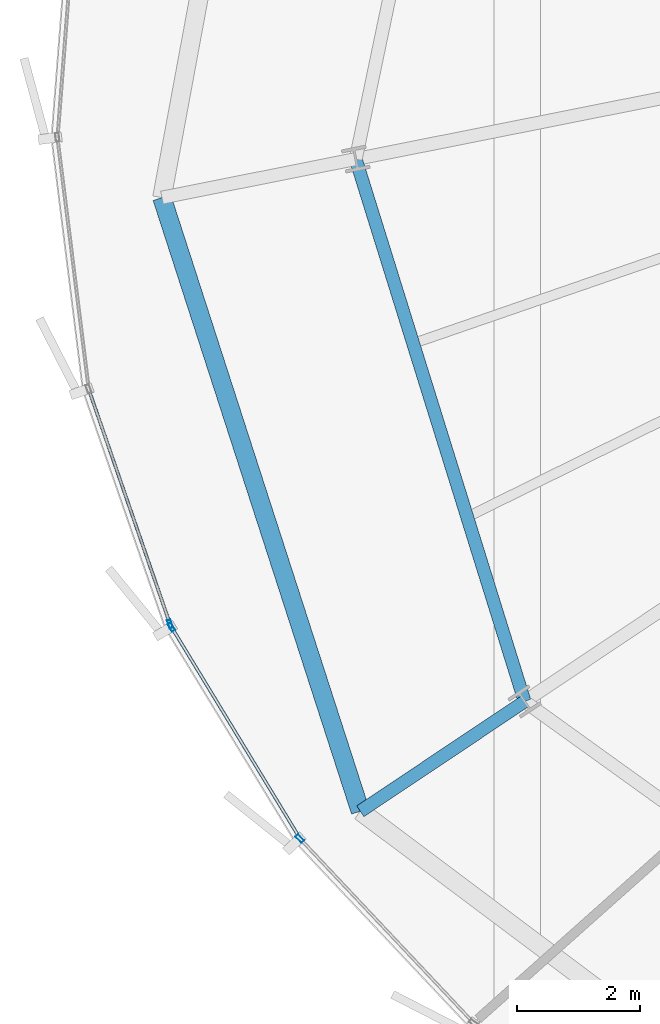
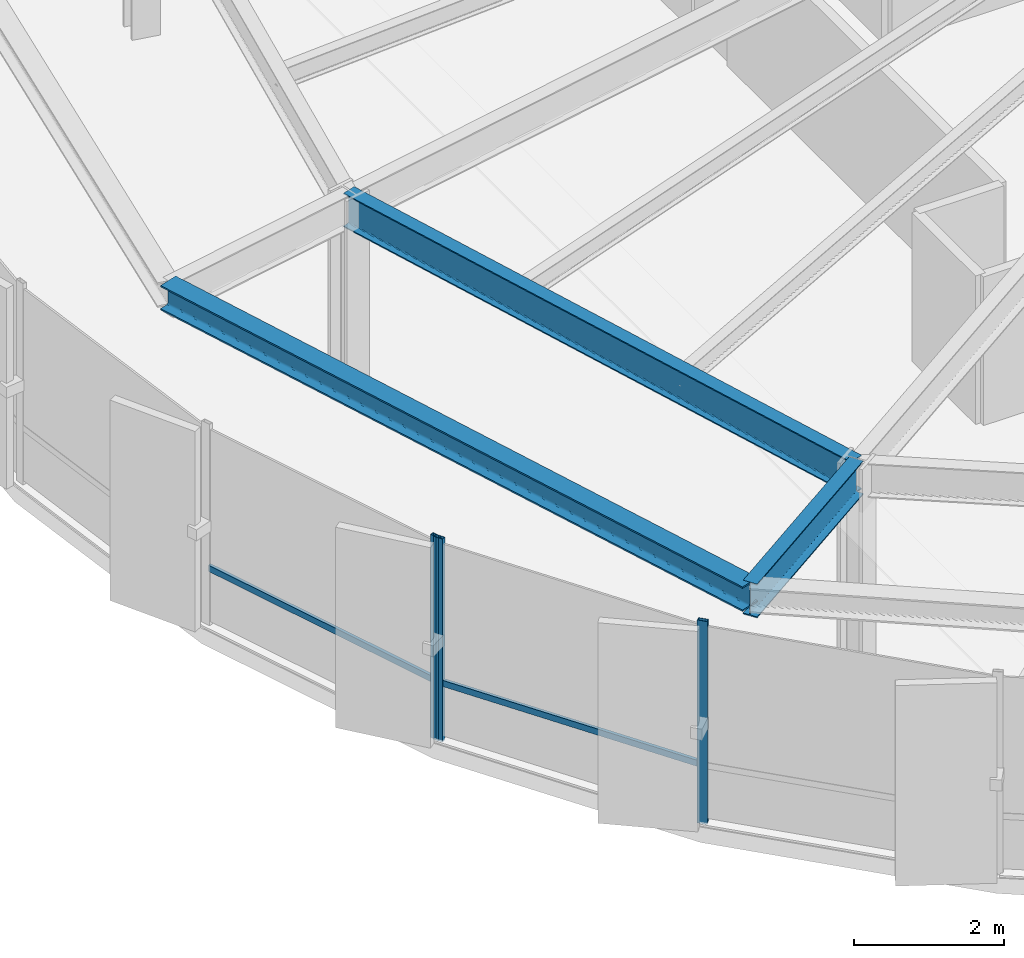
# One storey, part 3 of 35: 5 members, 3 beams, 2 elements without a shape of their own.
"""IFC4 building model written with IfcOpenShell, lengths in metres."""

from ifc_helpers import new_model, si_unit, direction, frame, origin, origin_2d, place, context, subcontext, project, spatial, hollow_rectangle, i_section, extrude, source, transform, mapped, material, layer, layer_set, material_profile, profile_set, type_object, element, aggregate, save


model = new_model("IFC4")

# Units and contexts
model_context = context("Model", 3, precision=1e-05, world=origin(), true_north=direction((0.0, 1.0)))
body_context = subcontext(model_context, "Body", "Model", "MODEL_VIEW")
ifc_project = project(units=[si_unit("LENGTHUNIT", "METRE"), si_unit("AREAUNIT", "SQUARE_METRE"), si_unit("VOLUMEUNIT", "CUBIC_METRE"), si_unit("PLANEANGLEUNIT", "RADIAN"), si_unit("MASSUNIT", "GRAM", prefix="KILO"), si_unit("THERMODYNAMICTEMPERATUREUNIT", "KELVIN")], contexts=[model_context])

# Site, building, storey
site_placement = place(None, origin())
site = spatial("IfcSite", under=ifc_project, at=site_placement, CompositionType="ELEMENT")
building_placement = place(site_placement, origin())
building = spatial("IfcBuilding", under=site, at=building_placement, Name="Kethvar Cultural Tower", CompositionType="ELEMENT")
storey_placement = place(building_placement, frame((0.0, 0.0, 135.89990234375)))
storey = spatial("IfcBuildingStorey", under=building, at=storey_placement, Name="L34", CompositionType="ELEMENT", Elevation=135.89990234375)

# Beams
ifc_material_1 = material(Name="Steel S355J2", Category="steel")
ifc_material_profile_1 = material_profile(ifc_material_1, i_section(OverallWidth=0.2099609375, OverallDepth=0.550048828125, WebThickness=0.010986328125, FlangeThickness=0.01708984375, FilletRadius=0.02392578125, at=origin_2d()), Name="Steel S355J2 — IPE550")
ifc_profile_set_1 = profile_set([ifc_material_profile_1], Name="Steel S355J2 — IPE550")
beam_type_1 = type_object("IfcBeamType", Name="BM-IPE550", PredefinedType="BEAM", material=ifc_profile_set_1)
shared_shape_1 = source(origin(), body_context, "Body", "SweptSolid", [
    extrude(i_section(OverallWidth=0.2099609375, OverallDepth=0.550048828125, WebThickness=0.010986328125, FlangeThickness=0.01708984375, FilletRadius=0.02392578125, at=origin_2d()), origin(), (0.0, 0.0, 1.0), 3.199951171875),
])
beam_1_placement = place(storey_placement, frame((26.920654296875, 14.51708984375, 3.023193359375), z_axis=(-0.831462943996, -0.555580212716, 0.0), x_axis=(0.555580212716, -0.831462943996, 0.0)))
element("IfcBeam", 1, at=beam_1_placement, inside=storey, type_object=beam_type_1, Name="L34 Perimeter Cantilever Beam RC-10", PredefinedType="BEAM", context=body_context, shape_type="MappedRepresentation", body=[
    mapped(shared_shape_1, transform((0.0, 0.0, 0.0), scale=1.0)),
])
shared_shape_2 = source(origin(), body_context, "Body", "SweptSolid", [
    extrude(i_section(OverallWidth=0.2099609375, OverallDepth=0.550048828125, WebThickness=0.010986328125, FlangeThickness=0.01708984375, FilletRadius=0.02392578125, at=origin_2d()), origin(), (0.0, 0.0, 1.0), 9.20068359375),
])
beam_2_placement = place(storey_placement, frame((24.185302734375, 23.3017578125, 3.023193359375), z_axis=(0.297298800285, -0.954784490526, 0.0), x_axis=(0.954784490526, 0.297298800285, 0.0)))
element("IfcBeam", 2, at=beam_2_placement, inside=storey, type_object=beam_type_1, Name="L34 Column Ring Tie Beam CR-09", PredefinedType="BEAM", context=body_context, shape_type="MappedRepresentation", body=[
    mapped(shared_shape_2, transform((0.0, 0.0, 0.0), scale=1.0)),
])
ifc_material_profile_2 = material_profile(ifc_material_1, i_section(OverallWidth=0.300048828125, OverallDepth=0.39990234375, WebThickness=0.013427734375, FlangeThickness=0.02392578125, FilletRadius=0.027099609375, at=origin_2d()), Name="Steel S355J2 — HEB400")
ifc_profile_set_2 = profile_set([ifc_material_profile_2], Name="Steel S355J2 — HEB400")
beam_type_2 = type_object("IfcBeamType", Name="BM-SP400", PredefinedType="SPANDREL", material=ifc_profile_set_2)
shared_shape_3 = source(origin(), body_context, "Body", "SweptSolid", [
    extrude(i_section(OverallWidth=0.300048828125, OverallDepth=0.39990234375, WebThickness=0.013427734375, FlangeThickness=0.02392578125, FilletRadius=0.027099609375, at=origin_2d()), origin(), (0.0, 0.0, 1.0), 10.44482421875),
])
beam_3_placement = place(storey_placement, frame((21.046875, 22.677490234375, 3.09814453125), z_axis=(0.307631709258, -0.951505507845, 0.0), x_axis=(0.951505507845, 0.307631709258, 0.0)))
element("IfcBeam", 3, at=beam_3_placement, inside=storey, type_object=beam_type_2, Name="L34 Perimeter Spandrel Beam SP-09", PredefinedType="SPANDREL", context=body_context, shape_type="MappedRepresentation", body=[
    mapped(shared_shape_3, transform((0.0, 0.0, 0.0), scale=1.0)),
])

# Curtain wall, member
ifc_material_2 = material(Name="Aluminium 6063-T6", Category="aluminium")
ifc_layer = layer(ifc_material_2, 0.179931640625, Name="Aluminium 6063-T6", Category="aluminium")
ifc_layer_set = layer_set([ifc_layer], Name="Aluminium 6063-T6 (180 mm)")
curtain_wall_type = type_object("IfcCurtainWallType", Name="CW-SYS-04-Z34", PredefinedType="NOTDEFINED", material=ifc_layer_set)
curtain_wall_1_placement = place(storey_placement, origin())
curtain_wall_1 = element("IfcCurtainWall", 4, at=curtain_wall_1_placement, inside=storey, type_object=curtain_wall_type, Name="L34 Curtain Wall Run 03", PredefinedType="NOTDEFINED")
ifc_material_profile_3 = material_profile(ifc_material_2, hollow_rectangle(XDim=0.06005859375, YDim=0.139892578125, WallThickness=0.0048828125, at=origin_2d()), Name="Aluminium 6063-T6 — RHS140x60x5")
ifc_profile_set_3 = profile_set([ifc_material_profile_3], Name="Aluminium 6063-T6 — RHS140x60x5")
member_type_1 = type_object("IfcMemberType", Name="CW-SYS-04-Z34-MUL", PredefinedType="MULLION", material=ifc_profile_set_3)
shared_shape_4 = source(origin(), body_context, "Body", "SweptSolid", [
    extrude(hollow_rectangle(XDim=0.06005859375, YDim=0.139892578125, WallThickness=0.0048828125, at=origin_2d()), origin(), (0.0, 0.0, 1.0), 3.300048828125),
])
member_1_placement = place(storey_placement, frame((21.177490234375, 15.77294921875, 0.0), z_axis=(0.0, 0.0, 1.0), x_axis=(0.944903214709, 0.327349835547, 0.0)))
member_1 = element("IfcMember", 5, at=member_1_placement, type_object=member_type_1, Name="CW-L34-R03 Mullion 7", PredefinedType="MULLION", context=body_context, shape_type="MappedRepresentation", body=[
    mapped(shared_shape_4, transform((0.0, 0.0, 0.0), scale=1.0)),
])

# Curtain wall, members
curtain_wall_2_placement = place(storey_placement, origin())
curtain_wall_2 = element("IfcCurtainWall", 6, at=curtain_wall_2_placement, inside=storey, type_object=curtain_wall_type, Name="L34 Curtain Wall Run 04", PredefinedType="NOTDEFINED")
member_2_placement = place(storey_placement, frame((21.200439453125, 15.723876953125, 0.0), z_axis=(0.0, 0.0, 1.0), x_axis=(0.854531360356, 0.519399801856, 0.0)))
member_2 = element("IfcMember", 7, at=member_2_placement, type_object=member_type_1, Name="CW-L34-R04 Mullion 1", PredefinedType="MULLION", context=body_context, shape_type="MappedRepresentation", body=[
    mapped(shared_shape_4, transform((0.0, 0.0, 0.0), scale=1.0)),
])
member_3_placement = place(storey_placement, frame((23.279296875, 12.298828125, 0.0), z_axis=(0.0, 0.0, 1.0), x_axis=(0.727772757657, 0.685818352927, 0.0)))
member_3 = element("IfcMember", 8, at=member_3_placement, type_object=member_type_1, Name="CW-L34-R04 Mullion 2", PredefinedType="MULLION", context=body_context, shape_type="MappedRepresentation", body=[
    mapped(shared_shape_4, transform((0.0, 0.0, 0.0), scale=1.0)),
])

# Member
ifc_material_profile_4 = material_profile(ifc_material_2, hollow_rectangle(XDim=0.050048828125, YDim=0.10009765625, WallThickness=0.00390625, at=origin_2d()), Name="Aluminium 6063-T6 — RHS100x50x4")
ifc_profile_set_4 = profile_set([ifc_material_profile_4], Name="Aluminium 6063-T6 — RHS100x50x4")
member_type_2 = type_object("IfcMemberType", Name="CW-SYS-04-Z34-TRN", PredefinedType="USERDEFINED", material=ifc_profile_set_4)
shared_shape_5 = source(origin(), body_context, "Body", "SweptSolid", [
    extrude(hollow_rectangle(XDim=0.050048828125, YDim=0.10009765625, WallThickness=0.00390625, at=origin_2d()), origin(), (0.0, 0.0, 1.0), 3.98193359375),
])
member_4_placement = place(storey_placement, frame((19.87255859375, 19.539306640625, 0.9501953125), z_axis=(0.327352729282, -0.944902212206, 0.0), x_axis=(0.944902212206, 0.327352729282, 0.0)))
member_4 = element("IfcMember", 9, at=member_4_placement, type_object=member_type_2, Name="CW-L34-R03 Transom 6", ObjectType="TRANSOM", PredefinedType="USERDEFINED", context=body_context, shape_type="MappedRepresentation", body=[
    mapped(shared_shape_5, transform((0.0, 0.0, 0.0), scale=1.0)),
])

aggregate(curtain_wall_1, [member_1, member_4])

shared_shape_6 = source(origin(), body_context, "Body", "SweptSolid", [
    extrude(hollow_rectangle(XDim=0.050048828125, YDim=0.10009765625, WallThickness=0.00390625, at=origin_2d()), origin(), (0.0, 0.0, 1.0), 3.982177734375),
])
member_5_placement = place(storey_placement, frame((21.20263671875, 15.72021484375, 0.9501953125), z_axis=(0.519410030886, -0.854525142881, 0.0), x_axis=(0.854525142881, 0.519410030886, 0.0)))
member_5 = element("IfcMember", 10, at=member_5_placement, type_object=member_type_2, Name="CW-L34-R04 Transom 1", ObjectType="TRANSOM", PredefinedType="USERDEFINED", context=body_context, shape_type="MappedRepresentation", body=[
    mapped(shared_shape_6, transform((0.0, 0.0, 0.0), scale=1.0)),
])

aggregate(curtain_wall_2, [member_2, member_3, member_5])

save(model, "model.ifc")
